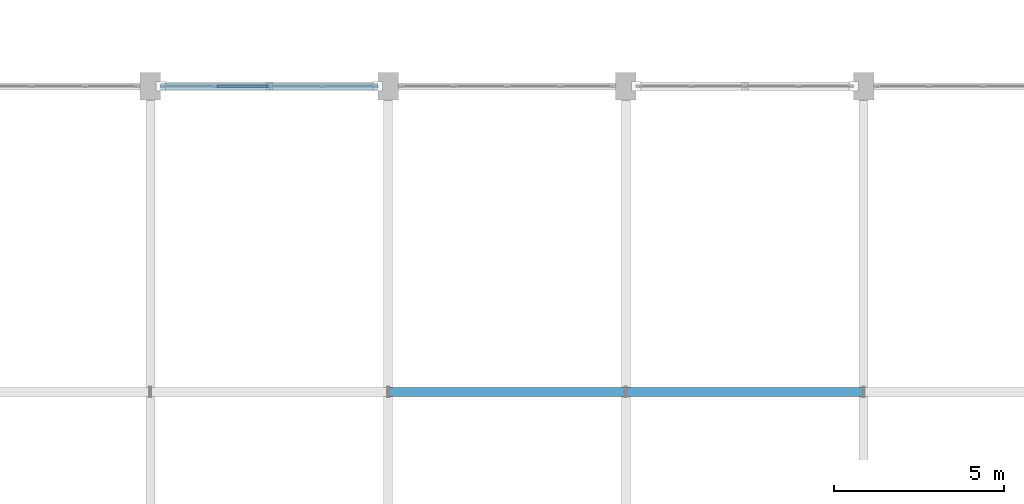
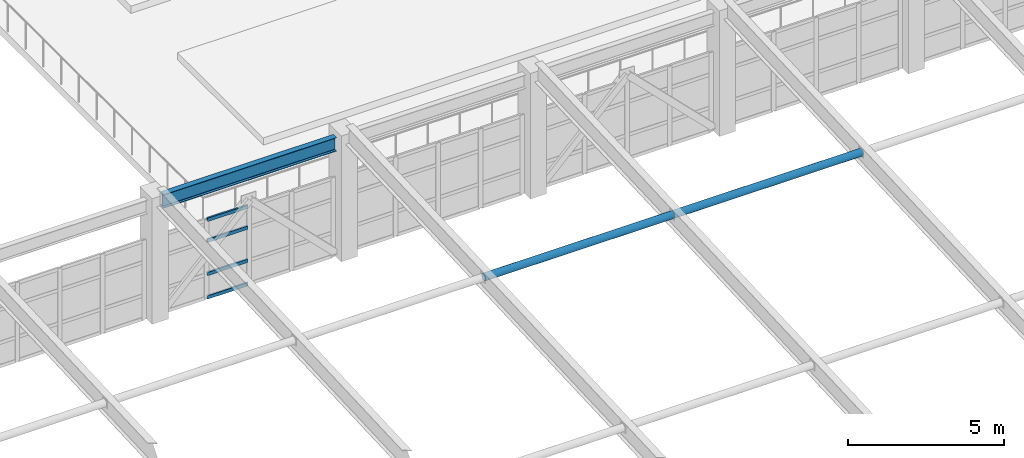
# One storey, part 12 of 150: 6 members, 1 beam, 1 element without a shape of its own.
"""IFC4 building model written with IfcOpenShell, lengths in metres."""

from ifc_helpers import new_model, si_unit, direction, frame, origin, origin_2d, place, context, subcontext, project, spatial, hollow_rectangle, hollow_circle, i_section, extrude, material, material_profile, profile_set, type_object, element, aggregate, save


model = new_model("IFC4")

# Units and contexts
model_context = context("Model", 3, precision=1e-05, world=origin(), true_north=direction((0.0, 1.0)))
body_context = subcontext(model_context, "Body", "Model", "MODEL_VIEW")
ifc_project = project(units=[si_unit("LENGTHUNIT", "METRE"), si_unit("AREAUNIT", "SQUARE_METRE"), si_unit("VOLUMEUNIT", "CUBIC_METRE"), si_unit("PLANEANGLEUNIT", "RADIAN"), si_unit("MASSUNIT", "GRAM", prefix="KILO")], contexts=[model_context])

# Site, building, storey
site_placement = place(None, origin())
site = spatial("IfcSite", under=ifc_project, at=site_placement, CompositionType="ELEMENT")
building_placement = place(site_placement, origin())
building = spatial("IfcBuilding", under=site, at=building_placement, Name="Kestramere Prow Commons", CompositionType="ELEMENT")
storey_placement = place(building_placement, frame((0.0, 0.0, 4.5)))
storey = spatial("IfcBuildingStorey", under=building, at=storey_placement, Name="L01", CompositionType="ELEMENT", Elevation=4.5)

# Beam
ifc_material_1 = material(Name="Steel S355JR", Category="steel")
ifc_material_profile_1 = material_profile(ifc_material_1, i_section(OverallWidth=0.209228515625, OverallDepth=0.533203125, WebThickness=0.010009765625, FlangeThickness=0.015625, FilletRadius=0.0126953125, at=origin_2d()), Name="UB 533x210x92")
ifc_profile_set_1 = profile_set([ifc_material_profile_1], Name="Steel S355JR")
beam_type = type_object("IfcBeamType", Name="BM-HL-GAL UB 533x210x92 (EX)", PredefinedType="BEAM", material=ifc_profile_set_1)
beam_placement = place(storey_placement, frame((16.5, 43.5, 4.418701171875), z_axis=(1.0, 0.0, 0.0), x_axis=(0.0, 1.0, 0.0)))
element("IfcBeam", 1, at=beam_placement, inside=storey, type_object=beam_type, Name="Hall Roof Eave Tie Girder 3N", PredefinedType="BEAM", context=body_context, shape_type="SweptSolid", body=[
    extrude(i_section(OverallWidth=0.209228515625, OverallDepth=0.533203125, WebThickness=0.010009765625, FlangeThickness=0.015625, FilletRadius=0.0126953125, at=origin_2d()), origin(), (0.0, 0.0, 1.0), 6.39990234375),
])

# Members
ifc_material_profile_2 = material_profile(ifc_material_1, hollow_circle(Radius=0.136474609375, WallThickness=0.012451171875, at=origin_2d()), Name="CHS 273x12.5")
ifc_profile_set_2 = profile_set([ifc_material_profile_2], Name="Steel S355JR")
member_type_1 = type_object("IfcMemberType", Name="BRHL-02 CHS 273x12.5", PredefinedType="BRACE", material=ifc_profile_set_2)
for number, where, z_axis, x_axis, name in (
    (2, (23.2080078125, 34.5, 4.50390625), (1.0, 0.0, 0.0), (0.0, 1.0, 0.0), "Hall Folded-Roof Tie Strut 4-3"),
    (3, (30.2080078125, 34.5, 4.50390625), (1.0, 0.0, 0.0), (0.0, 1.0, 0.0), "Hall Folded-Roof Tie Strut 5-3"),
):
    element("IfcMember", number, at=place(storey_placement, frame(where, z_axis=z_axis, x_axis=x_axis)), inside=storey, type_object=member_type_1, Name=name, PredefinedType="BRACE", context=body_context, shape_type="SweptSolid", body=[
        extrude(hollow_circle(Radius=0.136474609375, WallThickness=0.012451171875, at=origin_2d()), origin(), (0.0, 0.0, 1.0), 6.98388671875),
    ])

# Curtain wall, members
ifc_material_2 = material(Name="Anodised Aluminium and Low-E Glass", Category="aluminium")
curtain_wall_type = type_object("IfcCurtainWallType", Name="CW-12 Glazed Curtain Wall 6300x3100", PredefinedType="USERDEFINED", material=ifc_material_2)
curtain_wall_placement = place(storey_placement, origin())
curtain_wall = element("IfcCurtainWall", 4, at=curtain_wall_placement, inside=storey, type_object=curtain_wall_type, Name="Hall North Clerestory Curtain Wall L01-3", ObjectType="GLAZED CURTAIN WALL", PredefinedType="USERDEFINED")
ifc_material_3 = material(Name="Anodised Aluminium 6063-T6", Category="aluminium")
ifc_material_profile_3 = material_profile(ifc_material_3, hollow_rectangle(XDim=0.06494140625, YDim=0.1298828125, WallThickness=0.00390625, at=origin_2d()), Name="ALU-TRN 65x130")
ifc_profile_set_3 = profile_set([ifc_material_profile_3], Name="Anodised Aluminium 6063-T6")
member_type_2 = type_object("IfcMemberType", Name="CW-TRN-65x130", PredefinedType="USERDEFINED", material=ifc_profile_set_3)
member_1_placement = place(storey_placement, frame((18.157470703125, 43.5, 0.032470703125), z_axis=(1.0, 0.0, 0.0), x_axis=(0.0, 1.0, 0.0)))
member_1 = element("IfcMember", 5, at=member_1_placement, type_object=member_type_2, Name="CW-12 transom 2.1", ObjectType="TRANSOM", PredefinedType="USERDEFINED", context=body_context, shape_type="SweptSolid", body=[
    extrude(hollow_rectangle(XDim=0.06494140625, YDim=0.1298828125, WallThickness=0.00390625, at=origin_2d()), origin(), (0.0, 0.0, 1.0), 1.510009765625),
])
member_2_placement = place(storey_placement, frame((18.157470703125, 43.5, 0.949951171875), z_axis=(1.0, 0.0, 0.0), x_axis=(0.0, 1.0, 0.0)))
member_2 = element("IfcMember", 6, at=member_2_placement, type_object=member_type_2, Name="CW-12 transom 2.2", ObjectType="TRANSOM", PredefinedType="USERDEFINED", context=body_context, shape_type="SweptSolid", body=[
    extrude(hollow_rectangle(XDim=0.06494140625, YDim=0.1298828125, WallThickness=0.00390625, at=origin_2d()), origin(), (0.0, 0.0, 1.0), 1.510009765625),
])
member_3_placement = place(storey_placement, frame((18.157470703125, 43.5, 2.25), z_axis=(1.0, 0.0, 0.0), x_axis=(0.0, 1.0, 0.0)))
member_3 = element("IfcMember", 7, at=member_3_placement, type_object=member_type_2, Name="CW-12 transom 2.3", ObjectType="TRANSOM", PredefinedType="USERDEFINED", context=body_context, shape_type="SweptSolid", body=[
    extrude(hollow_rectangle(XDim=0.06494140625, YDim=0.1298828125, WallThickness=0.00390625, at=origin_2d()), origin(), (0.0, 0.0, 1.0), 1.510009765625),
])
member_4_placement = place(storey_placement, frame((18.157470703125, 43.5, 3.0673828125), z_axis=(1.0, 0.0, 0.0), x_axis=(0.0, 1.0, 0.0)))
member_4 = element("IfcMember", 8, at=member_4_placement, type_object=member_type_2, Name="CW-12 transom 2.4", ObjectType="TRANSOM", PredefinedType="USERDEFINED", context=body_context, shape_type="SweptSolid", body=[
    extrude(hollow_rectangle(XDim=0.06494140625, YDim=0.1298828125, WallThickness=0.00390625, at=origin_2d()), origin(), (0.0, 0.0, 1.0), 1.510009765625),
])
aggregate(curtain_wall, [member_1, member_2, member_3, member_4])

save(model, "model.ifc")
